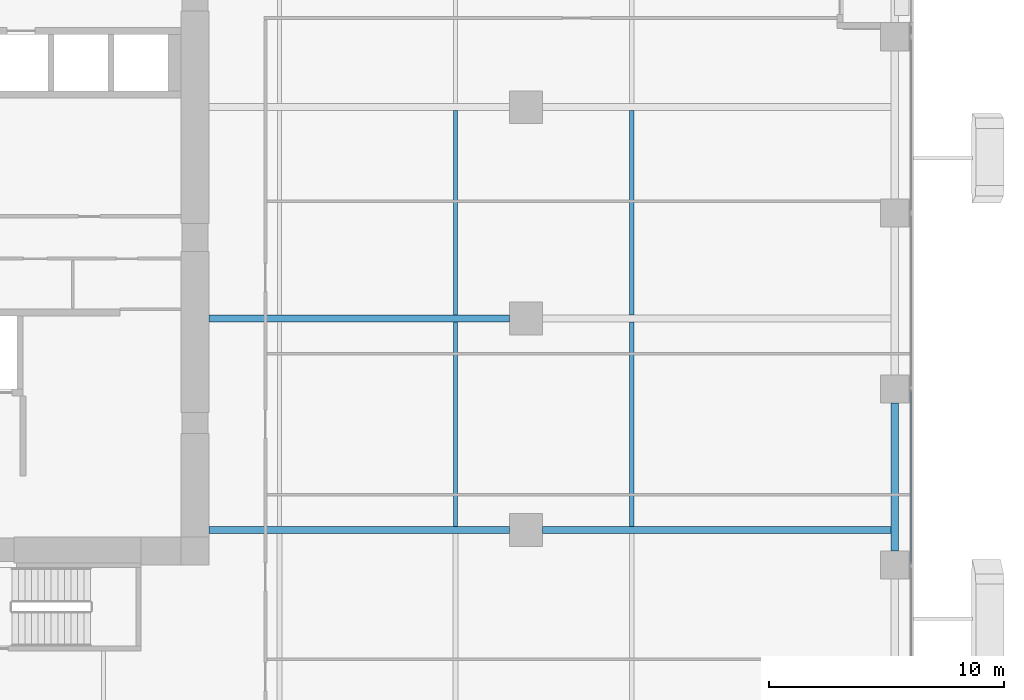
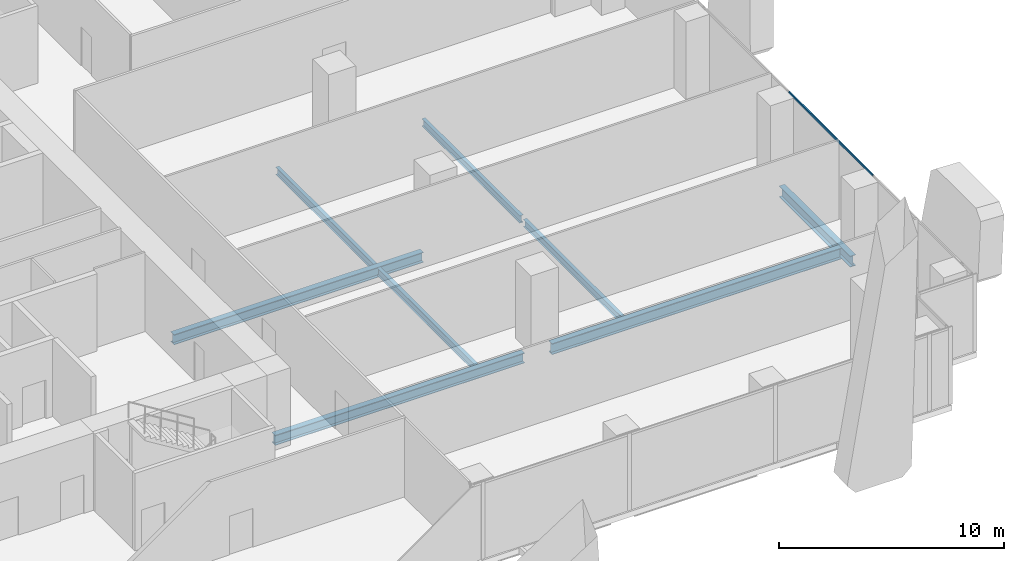
# One storey, part 10 of 35: 8 beams, 1 member, 1 element without a shape of its own.
"""IFC4 building model written with IfcOpenShell, lengths in metres."""

from ifc_helpers import new_model, si_unit, direction, frame, origin, origin_2d, place, context, subcontext, project, spatial, hollow_rectangle, i_section, extrude, source, transform, mapped, material, material_profile, profile_set, type_object, element, aggregate, save


model = new_model("IFC4")

# Units and contexts
model_context = context("Model", 3, precision=1e-05, world=origin(), true_north=direction((0.0, 1.0)))
body_context = subcontext(model_context, "Body", "Model", "MODEL_VIEW")
ifc_project = project(units=[si_unit("LENGTHUNIT", "METRE"), si_unit("AREAUNIT", "SQUARE_METRE"), si_unit("VOLUMEUNIT", "CUBIC_METRE"), si_unit("PLANEANGLEUNIT", "RADIAN"), si_unit("MASSUNIT", "GRAM", prefix="KILO")], contexts=[model_context])

# Site, building, storey
site_placement = place(None, origin())
site = spatial("IfcSite", under=ifc_project, at=site_placement, CompositionType="ELEMENT")
building_placement = place(site_placement, origin())
building = spatial("IfcBuilding", under=site, at=building_placement, Name="Khomas Fold Tower", CompositionType="ELEMENT")
storey_placement = place(building_placement, frame((0.0, 0.0, 69.0)))
storey = spatial("IfcBuildingStorey", under=building, at=storey_placement, Name="L14", CompositionType="ELEMENT", Elevation=69.0)

# Beams
ifc_material_1 = material(Name="Steel S355", Category="steel")
ifc_material_profile_1 = material_profile(ifc_material_1, i_section(OverallWidth=0.300048828125, OverallDepth=0.550048828125, WebThickness=0.014892578125, FlangeThickness=0.029052734375, at=origin_2d()), Name="HE 550 B")
ifc_profile_set_1 = profile_set([ifc_material_profile_1], Name="Steel S355")
beam_type_1 = type_object("IfcBeamType", Name="HE 550 B beam GB4", PredefinedType="BEAM", material=ifc_profile_set_1)
shared_shape_1 = source(origin(), body_context, "Body", "SweptSolid", [
    extrude(i_section(OverallWidth=0.300048828125, OverallDepth=0.550048828125, WebThickness=0.014892578125, FlangeThickness=0.029052734375, at=origin_2d()), origin(), (0.0, 0.0, 1.0), 12.800048828125),
])
for number, where, z_axis, x_axis, name in (
    (1, (24.0, 13.5, -0.574951171875), (1.0, 0.0, 0.0), (0.0, 1.0, 0.0), "GB4"),
    (2, (24.0, 22.5, -0.574951171875), (1.0, 0.0, 0.0), (0.0, 1.0, 0.0), "GB4"),
):
    element("IfcBeam", number, at=place(storey_placement, frame(where, z_axis=z_axis, x_axis=x_axis)), inside=storey, type_object=beam_type_1, Name=name, PredefinedType="BEAM", context=body_context, shape_type="MappedRepresentation", body=[
        mapped(shared_shape_1, transform((0.0, 0.0, 0.0))),
    ])
ifc_material_2 = material(Name="Steel S355", Category="steel")
ifc_material_profile_2 = material_profile(ifc_material_2, i_section(OverallWidth=0.179931640625, OverallDepth=0.39990234375, WebThickness=0.008544921875, FlangeThickness=0.013427734375, at=origin_2d()), Name="IPE 400")
ifc_profile_set_2 = profile_set([ifc_material_profile_2], Name="Steel S355")
beam_type_2 = type_object("IfcBeamType", Name="IPE 400 beam JB3", PredefinedType="BEAM", material=ifc_profile_set_2)
shared_shape_2 = source(origin(), body_context, "Body", "SweptSolid", [
    extrude(i_section(OverallWidth=0.179931640625, OverallDepth=0.39990234375, WebThickness=0.008544921875, FlangeThickness=0.013427734375, at=origin_2d()), origin(), (0.0, 0.0, 1.0), 8.7001953125),
])
for number, where, z_axis, x_axis, name in (
    (3, (34.5, 13.64990234375, -0.5), (0.0, 1.0, 0.0), (-1.0, 0.0, 0.0), "JB3"),
    (4, (34.5, 22.64990234375, -0.5), (0.0, 1.0, 0.0), (-1.0, 0.0, 0.0), "JB3"),
    (5, (42.0, 13.64990234375, -0.5), (0.0, 1.0, 0.0), (-1.0, 0.0, 0.0), "JB3"),
    (6, (42.0, 22.64990234375, -0.5), (0.0, 1.0, 0.0), (-1.0, 0.0, 0.0), "JB3"),
):
    element("IfcBeam", number, at=place(storey_placement, frame(where, z_axis=z_axis, x_axis=x_axis)), inside=storey, type_object=beam_type_2, Name=name, PredefinedType="BEAM", context=body_context, shape_type="MappedRepresentation", body=[
        mapped(shared_shape_2, transform((0.0, 0.0, 0.0))),
    ])
ifc_material_3 = material(Name="Steel S355", Category="steel")
ifc_material_profile_3 = material_profile(ifc_material_3, i_section(OverallWidth=0.300048828125, OverallDepth=0.60009765625, WebThickness=0.015380859375, FlangeThickness=0.030029296875, at=origin_2d()), Name="HE 600 B")
ifc_profile_set_3 = profile_set([ifc_material_profile_3], Name="Steel S355")
beam_type_3 = type_object("IfcBeamType", Name="HE 600 B spandrel SB1", PredefinedType="SPANDREL", material=ifc_profile_set_3)
shared_shape_3 = source(origin(), body_context, "Body", "SweptSolid", [
    extrude(i_section(OverallWidth=0.300048828125, OverallDepth=0.60009765625, WebThickness=0.015380859375, FlangeThickness=0.030029296875, at=origin_2d()), origin(), (0.0, 0.0, 1.0), 6.2998046875),
])
beam_1_placement = place(storey_placement, frame((53.199951171875, 12.60009765625, -0.60009765625), z_axis=(0.0, 1.0, 0.0), x_axis=(-1.0, 0.0, 0.0)))
element("IfcBeam", 7, at=beam_1_placement, inside=storey, type_object=beam_type_3, Name="SB1", PredefinedType="SPANDREL", context=body_context, shape_type="MappedRepresentation", body=[
    mapped(shared_shape_3, transform((0.0, 0.0, 0.0))),
])
ifc_material_4 = material(Name="Steel S355", Category="steel")
ifc_material_profile_4 = material_profile(ifc_material_4, i_section(OverallWidth=0.300048828125, OverallDepth=0.60009765625, WebThickness=0.015380859375, FlangeThickness=0.030029296875, at=origin_2d()), Name="HE 600 B")
ifc_profile_set_4 = profile_set([ifc_material_profile_4], Name="Steel S355")
beam_type_4 = type_object("IfcBeamType", Name="HE 600 B beam GB5", PredefinedType="BEAM", material=ifc_profile_set_4)
shared_shape_4 = source(origin(), body_context, "Body", "SweptSolid", [
    extrude(i_section(OverallWidth=0.300048828125, OverallDepth=0.60009765625, WebThickness=0.015380859375, FlangeThickness=0.030029296875, at=origin_2d()), origin(), (0.0, 0.0, 1.0), 14.85009765625),
])
beam_2_placement = place(storey_placement, frame((38.199951171875, 13.5, -0.60009765625), z_axis=(1.0, 0.0, 0.0), x_axis=(0.0, 1.0, 0.0)))
element("IfcBeam", 8, at=beam_2_placement, inside=storey, type_object=beam_type_4, Name="GB5", PredefinedType="BEAM", context=body_context, shape_type="MappedRepresentation", body=[
    mapped(shared_shape_4, transform((0.0, 0.0, 0.0))),
])

# Curtain wall, member
ifc_material_5 = material(Name="Aluminium framed double glazing", Category="aluminium")
curtain_wall_type = type_object("IfcCurtainWallType", Name="SK-Unitised clear-glass wall, growing floors CW1", PredefinedType="NOTDEFINED", material=ifc_material_5)
curtain_wall_placement = place(storey_placement, origin())
curtain_wall = element("IfcCurtainWall", 9, at=curtain_wall_placement, inside=storey, type_object=curtain_wall_type, Name="CW1 run L14 03-0", PredefinedType="NOTDEFINED")
ifc_material_6 = material(Name="Aluminium", Category="aluminium")
ifc_material_profile_5 = material_profile(ifc_material_6, hollow_rectangle(XDim=0.06005859375, YDim=0.1201171875, WallThickness=0.00390625, at=origin_2d()), Name="SK-Unitised clear-glass wall, growing floors transom CW1-T")
ifc_profile_set_5 = profile_set([ifc_material_profile_5], Name="Aluminium")
member_type = type_object("IfcMemberType", Name="SK-Unitised clear-glass wall, growing floors transom CW1-T", PredefinedType="USERDEFINED", material=ifc_profile_set_5)
shared_shape_5 = source(origin(), body_context, "Body", "SweptSolid", [
    extrude(hollow_rectangle(XDim=0.06005859375, YDim=0.1201171875, WallThickness=0.00390625, at=origin_2d()), origin(), (0.0, 0.0, 1.0), 7.43994140625),
])
member_placement = place(storey_placement, frame((53.89990234375, 12.030029296875, 4.139892578125), z_axis=(0.0, 1.0, 0.0), x_axis=(-1.0, 0.0, 0.0)))
member = element("IfcMember", 10, at=member_placement, type_object=member_type, Name="CW1 transom 3", ObjectType="TRANSOM", PredefinedType="USERDEFINED", context=body_context, shape_type="MappedRepresentation", body=[
    mapped(shared_shape_5, transform((0.0, 0.0, 0.0))),
])
aggregate(curtain_wall, [member])

save(model, "model.ifc")
